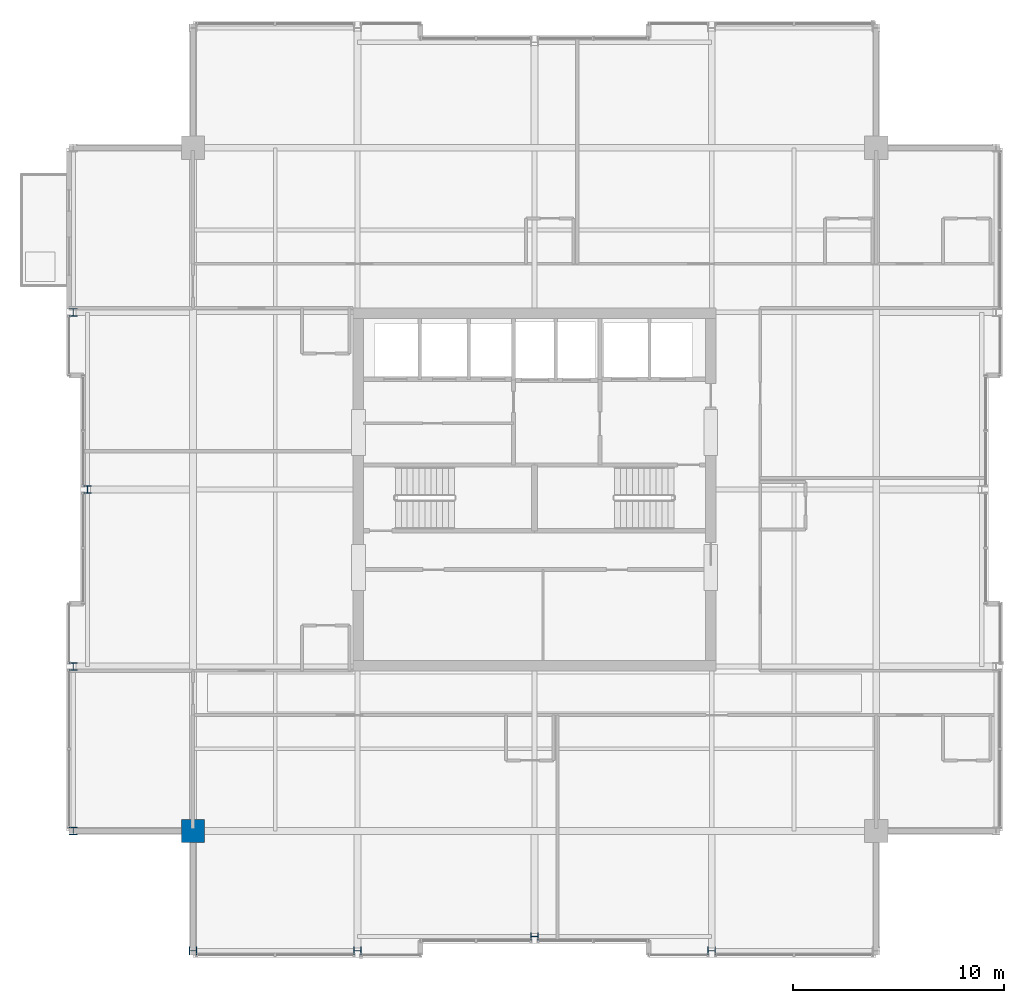
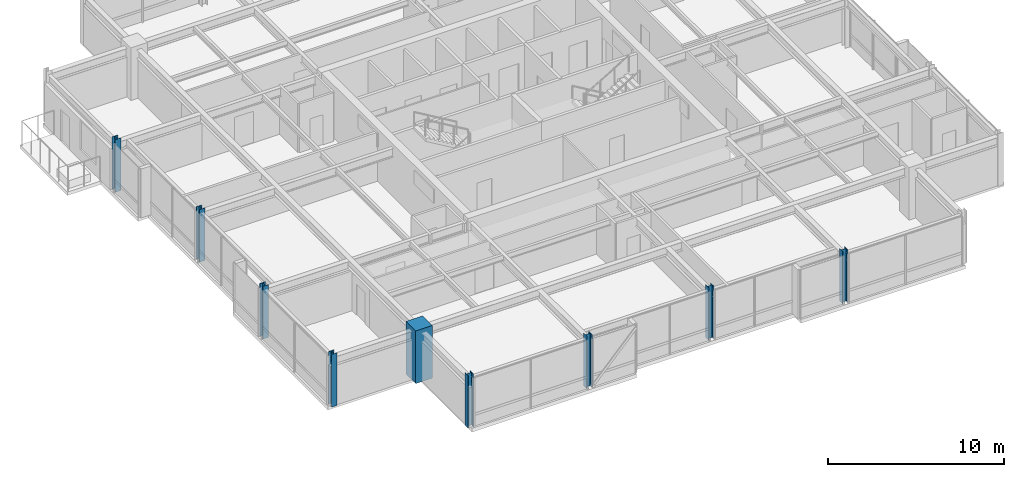
# One storey, part 1 of 33: 9 columns.
"""IFC4 building model written with IfcOpenShell, lengths in metres."""

from ifc_helpers import new_model, si_unit, direction, frame, origin, origin_2d, place, context, subcontext, project, spatial, rectangle, i_section, extrude, material, material_profile, profile_set, type_object, element, save


model = new_model("IFC4")

# Units and contexts
model_context = context("Model", 3, precision=1e-05, world=origin(), true_north=direction((0.0, 1.0)))
body_context = subcontext(model_context, "Body", "Model", "MODEL_VIEW")
ifc_project = project(units=[si_unit("LENGTHUNIT", "METRE"), si_unit("AREAUNIT", "SQUARE_METRE"), si_unit("VOLUMEUNIT", "CUBIC_METRE"), si_unit("PLANEANGLEUNIT", "RADIAN"), si_unit("MASSUNIT", "GRAM", prefix="KILO")], contexts=[model_context])

# Site, building, storey
site_placement = place(None, origin())
site = spatial("IfcSite", under=ifc_project, at=site_placement, CompositionType="ELEMENT")
building_placement = place(site_placement, origin())
building = spatial("IfcBuilding", under=site, at=building_placement, Name="Drelvath Grand Hotel", CompositionType="ELEMENT")
storey_placement = place(building_placement, frame((0.0, 0.0, 283.25)))
storey = spatial("IfcBuildingStorey", under=building, at=storey_placement, Name="L74", CompositionType="ELEMENT", Elevation=283.25)

# Columns
ifc_material_1 = material(Name="Concrete f'c 55 MPa", Category="concrete")
ifc_material_profile_1 = material_profile(ifc_material_1, rectangle(XDim=1.10009765625, YDim=1.10009765625, at=origin_2d()), Name="MC1100X1100")
ifc_profile_set_1 = profile_set([ifc_material_profile_1], Name="Concrete f'c 55 MPa")
column_type_1 = type_object("IfcColumnType", Name="Composite Mega Column MC1100X1100", PredefinedType="COLUMN", material=ifc_profile_set_1)
column_placement = place(storey_placement, frame((-16.199951171875, 10.800048828125, 0.0), z_axis=(0.0, 0.0, 1.0), x_axis=(1.0, 0.0, 0.0)))
element("IfcColumn", 1, at=column_placement, inside=storey, type_object=column_type_1, Name="L74 Composite Mega Column MC-SW", PredefinedType="COLUMN", context=body_context, shape_type="SweptSolid", body=[
    extrude(rectangle(XDim=1.10009765625, YDim=1.10009765625, at=origin_2d()), origin(), (0.0, 0.0, 1.0), 3.64990234375),
])
ifc_material_2 = material(Name="Steel ASTM A913 Gr 65", Category="steel")
ifc_material_profile_2 = material_profile(ifc_material_2, i_section(OverallWidth=0.368896484375, OverallDepth=0.356201171875, WebThickness=0.01123046875, FlangeThickness=0.01806640625, FilletRadius=0.02490234375, at=origin_2d()), Name="W14X90")
ifc_profile_set_2 = profile_set([ifc_material_profile_2], Name="Steel ASTM A913 Gr 65")
column_type_2 = type_object("IfcColumnType", Name="Perimeter Steel Column W14X90", PredefinedType="COLUMN", material=ifc_profile_set_2)
for number, where, z_axis, x_axis, name in (
    (2, (-21.8798828125, 10.800048828125, 0.0), (0.0, 0.0, 1.0), (1.0, 0.0, 0.0), "L74 Structural Column TCW-C"),
    (3, (-21.8798828125, 18.60009765625, 0.0), (0.0, 0.0, 1.0), (1.0, 0.0, 0.0), "L74 Structural Column TCW-D"),
    (4, (-21.199951171875, 27.0, 0.0), (0.0, 0.0, 1.0), (1.0, 0.0, 0.0), "L74 Structural Column TCW-E"),
    (5, (-21.8798828125, 35.39990234375, 0.0), (0.0, 0.0, 1.0), (1.0, 0.0, 0.0), "L74 Structural Column TCW-F"),
    (6, (-16.199951171875, 5.1201171875, 0.0), (0.0, 0.0, 1.0), (0.0, 1.0, 0.0), "L74 Structural Column TCS-3"),
    (7, (-8.39990234375, 5.1201171875, 0.0), (0.0, 0.0, 1.0), (0.0, 1.0, 0.0), "L74 Structural Column TCS-4"),
    (8, (0.0, 5.800048828125, 0.0), (0.0, 0.0, 1.0), (0.0, 1.0, 0.0), "L74 Structural Column TCS-5"),
    (9, (8.39990234375, 5.1201171875, 0.0), (0.0, 0.0, 1.0), (0.0, 1.0, 0.0), "L74 Structural Column TCS-6"),
):
    element("IfcColumn", number, at=place(storey_placement, frame(where, z_axis=z_axis, x_axis=x_axis)), inside=storey, type_object=column_type_2, Name=name, PredefinedType="COLUMN", context=body_context, shape_type="SweptSolid", body=[
        extrude(i_section(OverallWidth=0.368896484375, OverallDepth=0.356201171875, WebThickness=0.01123046875, FlangeThickness=0.01806640625, FilletRadius=0.02490234375, at=origin_2d()), origin(), (0.0, 0.0, 1.0), 3.64697265625),
    ])

save(model, "model.ifc")
